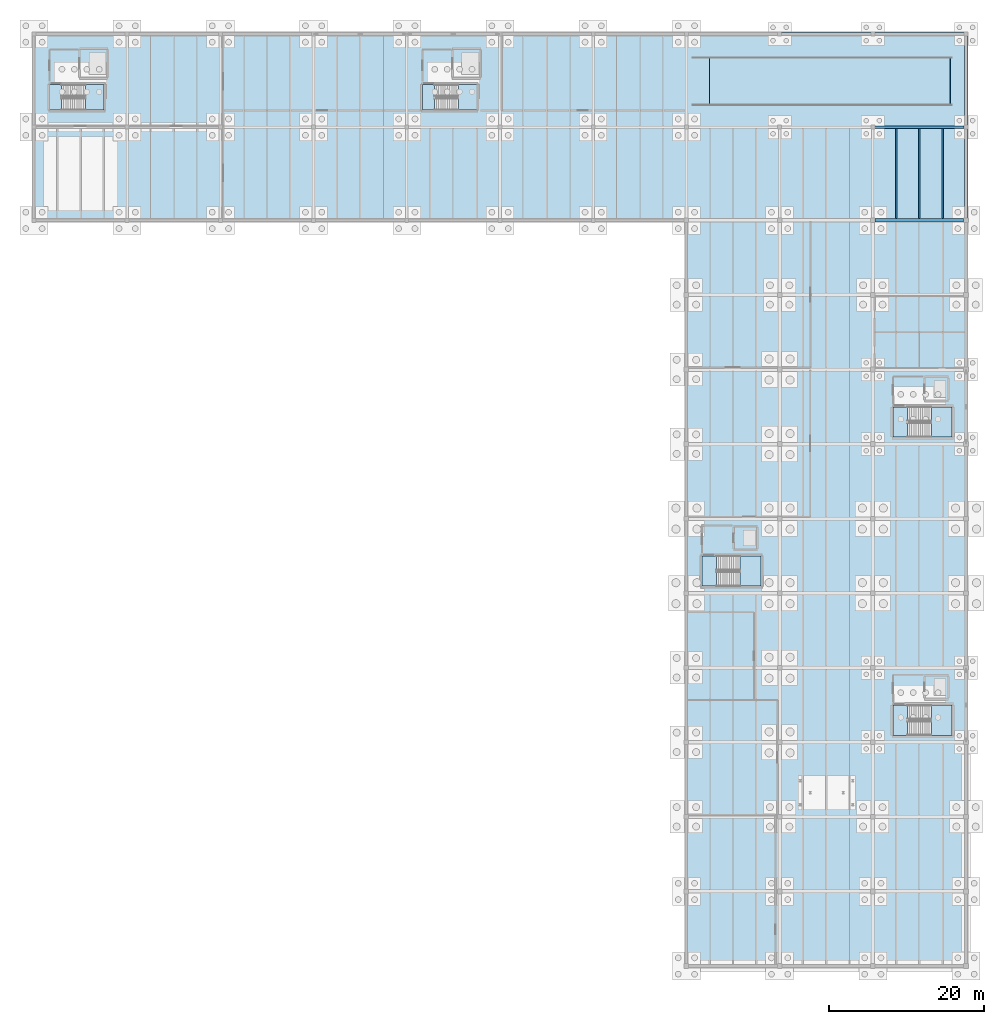
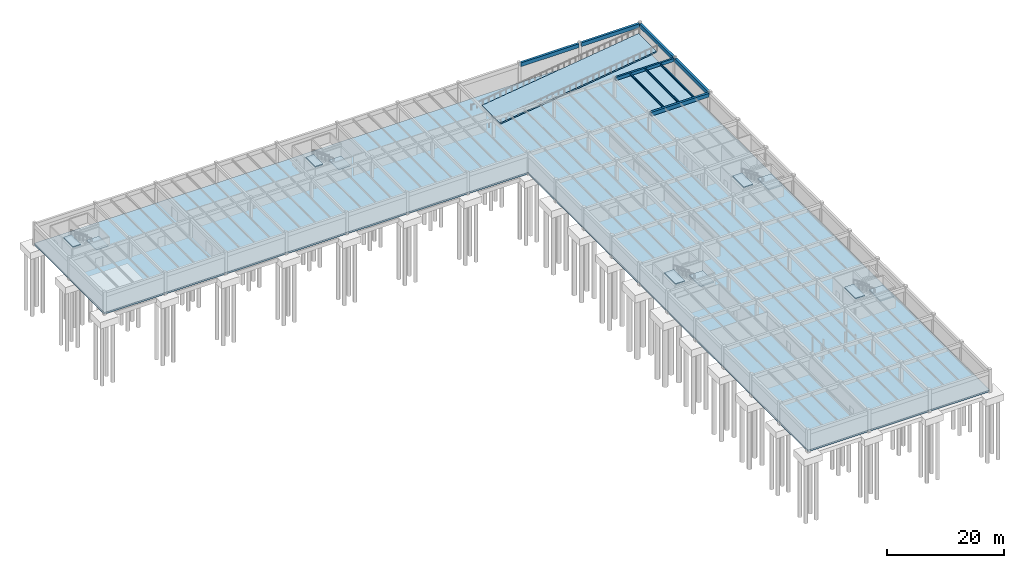
# One storey, part 7 of 20: 12 slabs, 9 beams, 5 elements without a shape of their own.
"""IFC4 building model written with IfcOpenShell, lengths in metres."""

from ifc_helpers import new_model, si_unit, direction, frame, origin, origin_2d, place, context, subcontext, project, spatial, polyline, rectangle, i_section, outline, extrude, material, layer, layer_set, material_profile, profile_set, type_object, element, aggregate, save


model = new_model("IFC4")

# Units and contexts
model_context = context("Model", 3, precision=1e-05, world=origin(), true_north=direction((0.0, 1.0)))
body_context = subcontext(model_context, "Body", "Model", "MODEL_VIEW")
ifc_project = project(units=[si_unit("LENGTHUNIT", "METRE"), si_unit("AREAUNIT", "SQUARE_METRE"), si_unit("VOLUMEUNIT", "CUBIC_METRE"), si_unit("PLANEANGLEUNIT", "RADIAN"), si_unit("MASSUNIT", "GRAM", prefix="KILO")], contexts=[model_context])

# Site, building, storey
site_placement = place(None, origin())
site = spatial("IfcSite", under=ifc_project, at=site_placement, CompositionType="ELEMENT")
building_placement = place(site_placement, origin())
building = spatial("IfcBuilding", under=site, at=building_placement, Name="Pandanus Reach Market Hall", CompositionType="ELEMENT")
storey_placement = place(building_placement, frame((0.0, 0.0, -4.5)))
storey = spatial("IfcBuildingStorey", under=building, at=storey_placement, Name="B1", CompositionType="ELEMENT", Elevation=-4.5)

# Beams
ifc_material_1 = material(Name="Concrete N40 (40 MPa)", Category="concrete")
ifc_material_profile_1 = material_profile(ifc_material_1, rectangle(XDim=0.35009765625, YDim=0.64990234375, at=origin_2d()), Name="RC350x650", Category="LoadBearing")
ifc_profile_set_1 = profile_set([ifc_material_profile_1], Name="Concrete N40 (40 MPa)")
beam_type_1 = type_object("IfcBeamType", Name="BM-RC350-I", PredefinedType="T_BEAM", material=ifc_profile_set_1)
beam_1_placement = place(storey_placement, frame((168.248046875, 108.0, 3.85009765625), z_axis=(1.0, 0.0, 0.0), x_axis=(0.0, 1.0, 0.0)))
element("IfcBeam", 1, at=beam_1_placement, inside=storey, type_object=beam_type_1, Name="Framing beam BM-RC350-I B1.680", PredefinedType="T_BEAM", context=body_context, shape_type="SweptSolid", body=[
    extrude(rectangle(XDim=0.35009765625, YDim=0.64990234375, at=origin_2d()), origin(), (0.0, 0.0, 1.0), 11.50390625),
])
ifc_material_profile_2 = material_profile(ifc_material_1, rectangle(XDim=0.449951171875, YDim=0.800048828125, at=origin_2d()), Name="RC450x800", Category="LoadBearing")
ifc_profile_set_2 = profile_set([ifc_material_profile_2], Name="Concrete N40 (40 MPa)")
beam_type_2 = type_object("IfcBeamType", Name="BM-RC450-E", PredefinedType="SPANDREL", material=ifc_profile_set_2)
beam_2_placement = place(storey_placement, frame((168.298095703125, 96.0, 3.77490234375), z_axis=(1.0, 0.0, 0.0), x_axis=(0.0, 1.0, 0.0)))
element("IfcBeam", 2, at=beam_2_placement, inside=storey, type_object=beam_type_2, Name="Framing beam BM-RC450-E B1.33", PredefinedType="SPANDREL", context=body_context, shape_type="SweptSolid", body=[
    extrude(rectangle(XDim=0.449951171875, YDim=0.800048828125, at=origin_2d()), origin(), (0.0, 0.0, 1.0), 11.40380859375),
])
for number, where, z_axis, x_axis, name in (
    (3, (156.248046875, 120.0, 3.77490234375), (1.0, 0.0, 0.0), (0.0, 1.0, 0.0), "Framing beam BM-RC450-E B1.689"),
    (4, (168.248046875, 120.0, 3.77490234375), (1.0, 0.0, 0.0), (0.0, 1.0, 0.0), "Framing beam BM-RC450-E B1.690"),
):
    element("IfcBeam", number, at=place(storey_placement, frame(where, z_axis=z_axis, x_axis=x_axis)), inside=storey, type_object=beam_type_2, Name=name, PredefinedType="SPANDREL", context=body_context, shape_type="SweptSolid", body=[
        extrude(rectangle(XDim=0.449951171875, YDim=0.800048828125, at=origin_2d()), origin(), (0.0, 0.0, 1.0), 11.50390625),
    ])
beam_3_placement = place(storey_placement, frame((180.0, 96.298095703125, 3.77490234375), z_axis=(0.0, 1.0, 0.0), x_axis=(-1.0, 0.0, 0.0)))
element("IfcBeam", 5, at=beam_3_placement, inside=storey, type_object=beam_type_2, Name="Framing beam BM-RC450-E B1.709", PredefinedType="SPANDREL", context=body_context, shape_type="SweptSolid", body=[
    extrude(rectangle(XDim=0.449951171875, YDim=0.800048828125, at=origin_2d()), origin(), (0.0, 0.0, 1.0), 11.453857421875),
])
beam_4_placement = place(storey_placement, frame((180.0, 108.248046875, 3.77490234375), z_axis=(0.0, 1.0, 0.0), x_axis=(-1.0, 0.0, 0.0)))
element("IfcBeam", 6, at=beam_4_placement, inside=storey, type_object=beam_type_2, Name="Framing beam BM-RC450-E B1.710", PredefinedType="SPANDREL", context=body_context, shape_type="SweptSolid", body=[
    extrude(rectangle(XDim=0.449951171875, YDim=0.800048828125, at=origin_2d()), origin(), (0.0, 0.0, 1.0), 11.50390625),
])
ifc_material_2 = material(Name="Steel Grade 350 (350 MPa)", Category="steel")
ifc_material_profile_3 = material_profile(ifc_material_2, i_section(OverallWidth=0.177978515625, OverallDepth=0.406005859375, WebThickness=0.0078125, FlangeThickness=0.0126953125, at=origin_2d()), Name="410UB59.7", Category="LoadBearing")
ifc_profile_set_3 = profile_set([ifc_material_profile_3], Name="Steel Grade 350 (350 MPa)")
beam_type_3 = type_object("IfcBeamType", Name="JS-UB410-I", PredefinedType="JOIST", material=ifc_profile_set_3)
for number, where, z_axis, x_axis, name in (
    (7, (171.0, 96.222900390625, 3.9716796875), (0.0, 1.0, 0.0), (-1.0, 0.0, 0.0), "Secondary joist JS-UB410-I B1.753"),
    (8, (174.0, 96.222900390625, 3.9716796875), (0.0, 1.0, 0.0), (-1.0, 0.0, 0.0), "Secondary joist JS-UB410-I B1.754"),
    (9, (177.0, 96.222900390625, 3.9716796875), (0.0, 1.0, 0.0), (-1.0, 0.0, 0.0), "Secondary joist JS-UB410-I B1.755"),
):
    element("IfcBeam", number, at=place(storey_placement, frame(where, z_axis=z_axis, x_axis=x_axis)), inside=storey, type_object=beam_type_3, Name=name, PredefinedType="JOIST", context=body_context, shape_type="SweptSolid", body=[
        extrude(i_section(OverallWidth=0.177978515625, OverallDepth=0.406005859375, WebThickness=0.0078125, FlangeThickness=0.0126953125, at=origin_2d()), origin(), (0.0, 0.0, 1.0), 11.60400390625),
    ])

# Slab
ifc_layer_1 = layer(ifc_material_1, 0.35009765625, Name="SL-B1")
ifc_layer_set_1 = layer_set([ifc_layer_1], Name="Concrete N40 (40 MPa)")
slab_type_1 = type_object("IfcSlabType", Name="SL-B1", PredefinedType="BASESLAB", material=ifc_layer_set_1)
slab_1_placement = place(storey_placement, frame((0.0, 0.0, -0.35009765625)))
element("IfcSlab", 10, at=slab_1_placement, inside=storey, type_object=slab_type_1, Name="Floor slab SL-B1-MAIN", PredefinedType="BASESLAB", context=body_context, shape_type="SweptSolid", body=[
    extrude(outline(polyline([(144.0, 0.0), (180.0, 0.0), (180.0, 120.0), (60.0, 120.0), (60.0, 96.0), (144.0, 96.0), (144.0, 0.0)])), origin(), (0.0, 0.0, 1.0), 0.35009765625),
])

# Stair, slabs
stair_type_1 = type_object("IfcStairType", Name="STR-01", PredefinedType="HALF_TURN_STAIR", material=ifc_material_1)
stair_1_placement = place(storey_placement, origin())
stair_1 = element("IfcStair", 11, at=stair_1_placement, inside=storey, type_object=stair_type_1, Name="Stair ST-01 B1", PredefinedType="HALF_TURN_STAIR")
ifc_layer_2 = layer(ifc_material_1, 0.199951171875, Name="SL-LND-200")
ifc_layer_set_2 = layer_set([ifc_layer_2], Name="Concrete N40 (40 MPa)")
slab_type_2 = type_object("IfcSlabType", Name="SL-LND-200", PredefinedType="LANDING", material=ifc_layer_set_2)
slab_2_placement = place(storey_placement, frame((0.0, 0.0, 2.050048828125)))
slab_2 = element("IfcSlab", 12, at=slab_2_placement, type_object=slab_type_2, Name="STR-01 landing 1", PredefinedType="LANDING", context=body_context, shape_type="SweptSolid", body=[
    extrude(outline(polyline([(175.530029296875, 29.699951171875), (178.219970703125, 29.699951171875), (178.219970703125, 33.60009765625), (175.530029296875, 33.60009765625), (175.530029296875, 29.699951171875)])), origin(), (0.0, 0.0, 1.0), 0.199951171875),
])
slab_3_placement = place(storey_placement, frame((0.0, 0.0, 4.300048828125)))
slab_3 = element("IfcSlab", 13, at=slab_3_placement, type_object=slab_type_2, Name="STR-01 landing 2", PredefinedType="LANDING", context=body_context, shape_type="SweptSolid", body=[
    extrude(outline(polyline([(170.60009765625, 29.699951171875), (172.449951171875, 29.699951171875), (172.449951171875, 33.60009765625), (170.60009765625, 33.60009765625), (170.60009765625, 29.699951171875)])), origin(), (0.0, 0.0, 1.0), 0.199951171875),
])
aggregate(stair_1, [slab_2, slab_3])

stair_2_placement = place(storey_placement, origin())
stair_2 = element("IfcStair", 14, at=stair_2_placement, inside=storey, type_object=stair_type_1, Name="Stair ST-02 B1", PredefinedType="HALF_TURN_STAIR")
slab_4_placement = place(storey_placement, frame((0.0, 0.0, 2.050048828125)))
slab_4 = element("IfcSlab", 15, at=slab_4_placement, type_object=slab_type_2, Name="STR-01 landing 1", PredefinedType="LANDING", context=body_context, shape_type="SweptSolid", body=[
    extrude(outline(polyline([(175.530029296875, 68.10009765625), (178.219970703125, 68.10009765625), (178.219970703125, 72.0), (175.530029296875, 72.0), (175.530029296875, 68.10009765625)])), origin(), (0.0, 0.0, 1.0), 0.199951171875),
])
slab_5_placement = place(storey_placement, frame((0.0, 0.0, 4.300048828125)))
slab_5 = element("IfcSlab", 16, at=slab_5_placement, type_object=slab_type_2, Name="STR-01 landing 2", PredefinedType="LANDING", context=body_context, shape_type="SweptSolid", body=[
    extrude(outline(polyline([(170.60009765625, 68.10009765625), (172.449951171875, 68.10009765625), (172.449951171875, 72.0), (170.60009765625, 72.0), (170.60009765625, 68.10009765625)])), origin(), (0.0, 0.0, 1.0), 0.199951171875),
])
aggregate(stair_2, [slab_4, slab_5])

stair_3_placement = place(storey_placement, origin())
stair_3 = element("IfcStair", 17, at=stair_3_placement, inside=storey, type_object=stair_type_1, Name="Stair ST-03 B1", PredefinedType="HALF_TURN_STAIR")
slab_6_placement = place(storey_placement, frame((0.0, 0.0, 2.050048828125)))
slab_6 = element("IfcSlab", 18, at=slab_6_placement, type_object=slab_type_2, Name="STR-01 landing 1", PredefinedType="LANDING", context=body_context, shape_type="SweptSolid", body=[
    extrude(outline(polyline([(150.929931640625, 48.89990234375), (153.6201171875, 48.89990234375), (153.6201171875, 52.800048828125), (150.929931640625, 52.800048828125), (150.929931640625, 48.89990234375)])), origin(), (0.0, 0.0, 1.0), 0.199951171875),
])
slab_7_placement = place(storey_placement, frame((0.0, 0.0, 4.300048828125)))
slab_7 = element("IfcSlab", 19, at=slab_7_placement, type_object=slab_type_2, Name="STR-01 landing 2", PredefinedType="LANDING", context=body_context, shape_type="SweptSolid", body=[
    extrude(outline(polyline([(146.0, 48.89990234375), (147.85009765625, 48.89990234375), (147.85009765625, 52.800048828125), (146.0, 52.800048828125), (146.0, 48.89990234375)])), origin(), (0.0, 0.0, 1.0), 0.199951171875),
])
aggregate(stair_3, [slab_6, slab_7])

stair_type_2 = type_object("IfcStairType", Name="STR-07", PredefinedType="HALF_TURN_STAIR", material=ifc_material_1)
stair_4_placement = place(storey_placement, origin())
stair_4 = element("IfcStair", 20, at=stair_4_placement, inside=storey, type_object=stair_type_2, Name="Stair ST-05 B1", PredefinedType="HALF_TURN_STAIR")
slab_8_placement = place(storey_placement, frame((0.0, 0.0, 2.050048828125)))
slab_8 = element("IfcSlab", 21, at=slab_8_placement, type_object=slab_type_2, Name="STR-07 landing 1", PredefinedType="LANDING", context=body_context, shape_type="SweptSolid", body=[
    extrude(outline(polyline([(66.6298828125, 110.199951171875), (69.02001953125, 110.199951171875), (69.02001953125, 113.5), (66.6298828125, 113.5), (66.6298828125, 110.199951171875)])), origin(), (0.0, 0.0, 1.0), 0.199951171875),
])
slab_9_placement = place(storey_placement, frame((0.0, 0.0, 4.300048828125)))
slab_9 = element("IfcSlab", 22, at=slab_9_placement, type_object=slab_type_2, Name="STR-07 landing 2", PredefinedType="LANDING", context=body_context, shape_type="SweptSolid", body=[
    extrude(outline(polyline([(62.0, 110.199951171875), (63.550048828125, 110.199951171875), (63.550048828125, 113.5), (62.0, 113.5), (62.0, 110.199951171875)])), origin(), (0.0, 0.0, 1.0), 0.199951171875),
])
aggregate(stair_4, [slab_8, slab_9])

stair_5_placement = place(storey_placement, origin())
stair_5 = element("IfcStair", 23, at=stair_5_placement, inside=storey, type_object=stair_type_2, Name="Stair ST-06 B1", PredefinedType="HALF_TURN_STAIR")
slab_10_placement = place(storey_placement, frame((0.0, 0.0, 2.050048828125)))
slab_10 = element("IfcSlab", 24, at=slab_10_placement, type_object=slab_type_2, Name="STR-07 landing 1", PredefinedType="LANDING", context=body_context, shape_type="SweptSolid", body=[
    extrude(outline(polyline([(114.6298828125, 110.199951171875), (117.02001953125, 110.199951171875), (117.02001953125, 113.5), (114.6298828125, 113.5), (114.6298828125, 110.199951171875)])), origin(), (0.0, 0.0, 1.0), 0.199951171875),
])
slab_11_placement = place(storey_placement, frame((0.0, 0.0, 4.300048828125)))
slab_11 = element("IfcSlab", 25, at=slab_11_placement, type_object=slab_type_2, Name="STR-07 landing 2", PredefinedType="LANDING", context=body_context, shape_type="SweptSolid", body=[
    extrude(outline(polyline([(110.0, 110.199951171875), (111.550048828125, 110.199951171875), (111.550048828125, 113.5), (110.0, 113.5), (110.0, 110.199951171875)])), origin(), (0.0, 0.0, 1.0), 0.199951171875),
])
aggregate(stair_5, [slab_10, slab_11])

# Slab
ifc_layer_3 = layer(ifc_material_1, 0.280029296875, Name="SL-RMP-280")
ifc_layer_set_3 = layer_set([ifc_layer_3], Name="Concrete N40 (40 MPa)")
slab_type_3 = type_object("IfcSlabType", Name="SL-RMP-280", PredefinedType="FLOOR", material=ifc_layer_set_3)
slab_12_placement = place(storey_placement, frame((146.949951171875, 110.820068359375, 0.283935546875), z_axis=(-0.13393736186, 0.0, 0.990989799694), x_axis=(0.990989799694, 0.0, 0.13393736186)))
element("IfcSlab", 26, at=slab_12_placement, inside=storey, type_object=slab_type_3, Name="Basement vehicle ramp structural slab SL-RMP-280", PredefinedType="FLOOR", context=body_context, shape_type="SweptSolid", body=[
    extrude(outline(polyline([(0.0, 0.0), (31.2919565622097, 0.0), (31.2919565622097, 6.159912109375), (0.0, 6.159912109375), (0.0, 0.0)])), origin(), (0.0, 0.0, -1.0), 0.280029296875),
])

save(model, "model.ifc")
